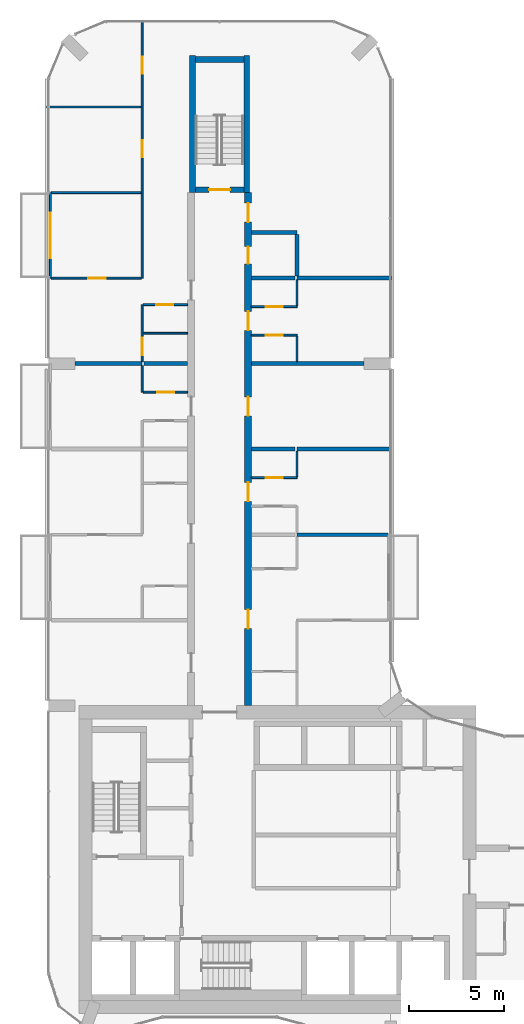
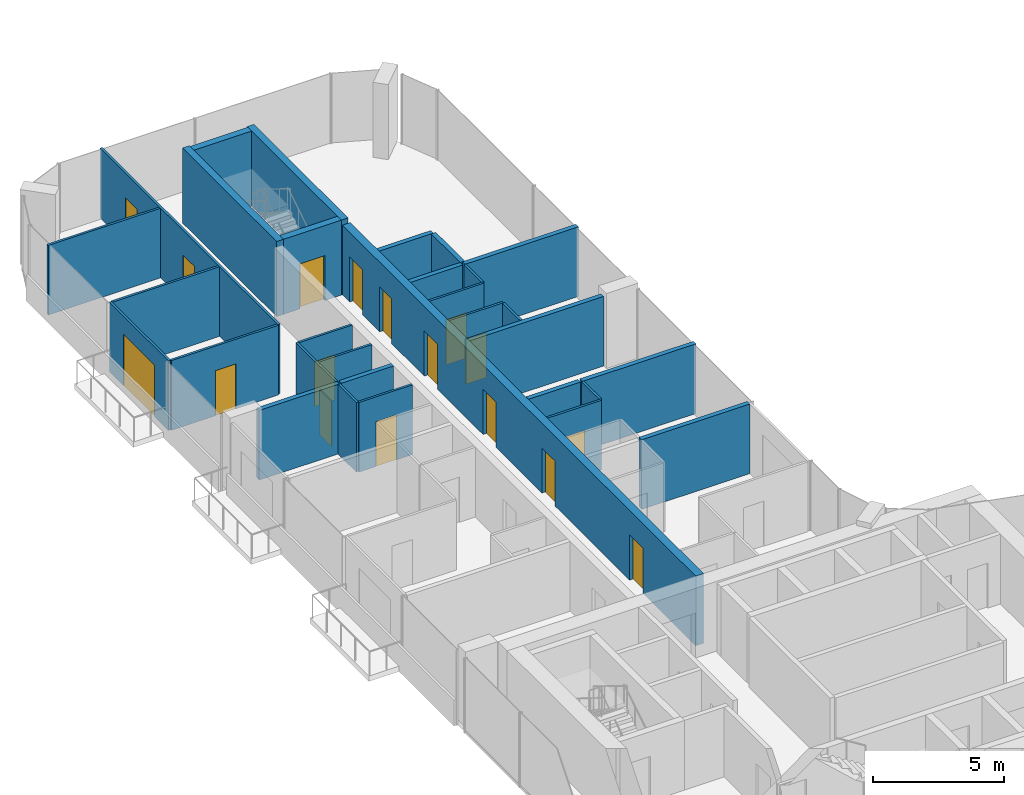
# One storey, part 16 of 22: 31 walls, 17 doors, 17 openings.
"""IFC4 building model written with IfcOpenShell, lengths in metres."""

from ifc_helpers import new_model, si_unit, direction, frame, frame_2d, origin, place, context, subcontext, project, spatial, rectangle, extrude, material, layer, layer_set, type_object, element, fill, save


model = new_model("IFC4")

# Units and contexts
model_context = context("Model", 3, precision=1e-05, world=origin(), true_north=direction((0.0, 1.0)))
body_context = subcontext(model_context, "Body", "Model", "MODEL_VIEW")
ifc_project = project(units=[si_unit("LENGTHUNIT", "METRE"), si_unit("AREAUNIT", "SQUARE_METRE"), si_unit("VOLUMEUNIT", "CUBIC_METRE"), si_unit("PLANEANGLEUNIT", "RADIAN"), si_unit("MASSUNIT", "GRAM", prefix="KILO")], contexts=[model_context])

# Site, building, storey
site_placement = place(None, origin())
site = spatial("IfcSite", under=ifc_project, at=site_placement, CompositionType="ELEMENT")
building_placement = place(site_placement, origin())
building = spatial("IfcBuilding", under=site, at=building_placement, Name="Plateau Cross Towers", CompositionType="ELEMENT")
storey_placement = place(building_placement, frame((0.0, 0.0, 61.800048828125)))
storey = spatial("IfcBuildingStorey", under=building, at=storey_placement, Name="L15", CompositionType="ELEMENT", Elevation=61.800048828125)

# Wall, opening, door
ifc_material_1 = material(Name="Aluminium framed glazing", Category="aluminium")
ifc_layer_1 = layer(ifc_material_1, 0.10009765625)
ifc_layer_set_1 = layer_set([ifc_layer_1], Name="Aluminium framed glazing")
wall_type_1 = type_object("IfcWallType", Name="Balcony screen wall 100", PredefinedType="STANDARD", material=ifc_layer_set_1)
wall_1_placement = place(storey_placement, frame((0.10009765625, 40.5, 0.0), z_axis=(0.0, 0.0, 1.0), x_axis=(0.0, 1.0, 0.0)))
wall_1 = element("IfcWall", 1, at=wall_1_placement, inside=storey, type_object=wall_type_1, Name="Balcony screen wall A-BAL-L15-03", PredefinedType="STANDARD", context=body_context, shape_type="SweptSolid", body=[
    extrude(rectangle(XDim=4.5, YDim=0.10009765625, at=frame_2d((2.25, 0.0))), origin(), (0.0, 0.0, 1.0), 3.25),
])
opening_1_placement = place(wall_1_placement, frame((1.050048828125, 0.0, 0.0)))
opening_1 = element("IfcOpeningElement", 2, at=opening_1_placement, cuts=wall_1, Name="Opening D-B24", PredefinedType="OPENING", context=body_context, shape_type="SweptSolid", body=[
    extrude(rectangle(XDim=2.39990234375, YDim=2.39990234375, at=frame_2d((1.199951171875, 1.199951171875))), frame((0.0, 0.06005859375, 0.0), z_axis=(0.0, -1.0, 0.0), x_axis=(1.0, 0.0, 0.0)), (0.0, 0.0, 1.0), 0.1201171875),
])
ifc_material_2 = material(Name="Aluminium frame, double glazing", Category="aluminium")
door_type_1 = type_object("IfcDoorType", Name="Balcony sliding door 2400", OperationType="NOTDEFINED", PredefinedType="DOOR", material=ifc_material_2)
door_1_placement = place(opening_1_placement, origin())
door_1 = element("IfcDoor", 3, at=door_1_placement, inside=storey, type_object=door_type_1, Name="Balcony door A-BAL-L15-03", OperationType="SINGLE_SWING_LEFT", OverallHeight=2.39990234375, OverallWidth=2.39990234375, PredefinedType="DOOR", context=body_context, shape_type="SweptSolid", body=[
    extrude(rectangle(XDim=2.39990234375, YDim=2.39990234375, at=frame_2d((1.199951171875, 1.199951171875))), frame((0.0, 0.02490234375, 0.0), z_axis=(0.0, -1.0, 0.0), x_axis=(1.0, 0.0, 0.0)), (0.0, 0.0, 1.0), 0.050048828125),
])
fill(opening_1, door_1)

# Wall, openings, doors
ifc_material_3 = material(Name="Concrete C60/75", Category="concrete")
ifc_layer_2 = layer(ifc_material_3, 0.35009765625)
ifc_layer_set_2 = layer_set([ifc_layer_2], Name="Concrete C60/75")
wall_type_2 = type_object("IfcWallType", Name="Corridor wall 350", PredefinedType="SHEAR", material=ifc_layer_set_2)
wall_2_placement = place(storey_placement, frame((10.5, 18.0, 0.0), z_axis=(0.0, 0.0, 1.0), x_axis=(0.0, 1.0, 0.0)))
wall_2 = element("IfcWall", 4, at=wall_2_placement, inside=storey, type_object=wall_type_2, Name="A-cw-W2@L15", PredefinedType="SHEAR", context=body_context, shape_type="SweptSolid", body=[
    extrude(rectangle(XDim=27.0, YDim=0.35009765625, at=frame_2d((13.5, 0.0))), origin(), (0.0, 0.0, 1.0), 3.25),
])
opening_2_placement = place(wall_2_placement, frame((4.050048828125, 0.0, 0.0)))
opening_2 = element("IfcOpeningElement", 5, at=opening_2_placement, cuts=wall_2, Name="Opening 15-14", PredefinedType="OPENING", context=body_context, shape_type="SweptSolid", body=[
    extrude(rectangle(XDim=1.0, YDim=2.10009765625, at=frame_2d((0.5, 1.050048828125))), frame((0.0, 0.18505859375, 0.0), z_axis=(0.0, -1.0, 0.0), x_axis=(1.0, 0.0, 0.0)), (0.0, 0.0, 1.0), 0.3701171875),
])
opening_3_placement = place(wall_2_placement, frame((10.75, 0.0, 0.0)))
opening_3 = element("IfcOpeningElement", 6, at=opening_3_placement, cuts=wall_2, Name="Opening 15-15", PredefinedType="OPENING", context=body_context, shape_type="SweptSolid", body=[
    extrude(rectangle(XDim=1.0, YDim=2.10009765625, at=frame_2d((0.5, 1.050048828125))), frame((0.0, 0.18505859375, 0.0), z_axis=(0.0, -1.0, 0.0), x_axis=(1.0, 0.0, 0.0)), (0.0, 0.0, 1.0), 0.3701171875),
])
opening_4_placement = place(wall_2_placement, frame((15.25, 0.0, 0.0)))
opening_4 = element("IfcOpeningElement", 7, at=opening_4_placement, cuts=wall_2, Name="Opening 15-16", PredefinedType="OPENING", context=body_context, shape_type="SweptSolid", body=[
    extrude(rectangle(XDim=1.0, YDim=2.10009765625, at=frame_2d((0.5, 1.050048828125))), frame((0.0, 0.18505859375, 0.0), z_axis=(0.0, -1.0, 0.0), x_axis=(1.0, 0.0, 0.0)), (0.0, 0.0, 1.0), 0.3701171875),
])
opening_5_placement = place(wall_2_placement, frame((19.75, 0.0, 0.0)))
opening_5 = element("IfcOpeningElement", 8, at=opening_5_placement, cuts=wall_2, Name="Opening 15-17", PredefinedType="OPENING", context=body_context, shape_type="SweptSolid", body=[
    extrude(rectangle(XDim=1.0, YDim=2.10009765625, at=frame_2d((0.5, 1.050048828125))), frame((0.0, 0.18505859375, 0.0), z_axis=(0.0, -1.0, 0.0), x_axis=(1.0, 0.0, 0.0)), (0.0, 0.0, 1.0), 0.3701171875),
])
opening_6_placement = place(wall_2_placement, frame((23.25, 0.0, 0.0)))
opening_6 = element("IfcOpeningElement", 9, at=opening_6_placement, cuts=wall_2, Name="Opening 15-18", PredefinedType="OPENING", context=body_context, shape_type="SweptSolid", body=[
    extrude(rectangle(XDim=0.89990234375, YDim=2.10009765625, at=frame_2d((0.449951171875, 1.050048828125))), frame((0.0, 0.18505859375, 0.0), z_axis=(0.0, -1.0, 0.0), x_axis=(1.0, 0.0, 0.0)), (0.0, 0.0, 1.0), 0.3701171875),
])
opening_7_placement = place(wall_2_placement, frame((25.449951171875, 0.0, 0.0)))
opening_7 = element("IfcOpeningElement", 10, at=opening_7_placement, cuts=wall_2, Name="Opening 15-19", PredefinedType="OPENING", context=body_context, shape_type="SweptSolid", body=[
    extrude(rectangle(XDim=1.0, YDim=2.10009765625, at=frame_2d((0.5, 1.050048828125))), frame((0.0, 0.18505859375, 0.0), z_axis=(0.0, -1.0, 0.0), x_axis=(1.0, 0.0, 0.0)), (0.0, 0.0, 1.0), 0.3701171875),
])
ifc_material_4 = material(Name="Timber, fire-resisting leaf", Category="wood")
door_type_2 = type_object("IfcDoorType", Name="Flat entrance door 1000", OperationType="NOTDEFINED", PredefinedType="DOOR", material=ifc_material_4)
door_2_placement = place(opening_2_placement, origin())
door_2 = element("IfcDoor", 11, at=door_2_placement, inside=storey, type_object=door_type_2, Name="Door 15-14", OperationType="SINGLE_SWING_LEFT", OverallHeight=2.10009765625, OverallWidth=1.0, PredefinedType="DOOR", context=body_context, shape_type="SweptSolid", body=[
    extrude(rectangle(XDim=1.0, YDim=2.10009765625, at=frame_2d((0.5, 1.050048828125))), frame((0.0, 0.02490234375, 0.0), z_axis=(0.0, -1.0, 0.0), x_axis=(1.0, 0.0, 0.0)), (0.0, 0.0, 1.0), 0.050048828125),
])
fill(opening_2, door_2)
door_3_placement = place(opening_3_placement, origin())
door_3 = element("IfcDoor", 12, at=door_3_placement, inside=storey, type_object=door_type_2, Name="Door 15-15", OperationType="SINGLE_SWING_LEFT", OverallHeight=2.10009765625, OverallWidth=1.0, PredefinedType="DOOR", context=body_context, shape_type="SweptSolid", body=[
    extrude(rectangle(XDim=1.0, YDim=2.10009765625, at=frame_2d((0.5, 1.050048828125))), frame((0.0, 0.02490234375, 0.0), z_axis=(0.0, -1.0, 0.0), x_axis=(1.0, 0.0, 0.0)), (0.0, 0.0, 1.0), 0.050048828125),
])
fill(opening_3, door_3)
door_4_placement = place(opening_4_placement, origin())
door_4 = element("IfcDoor", 13, at=door_4_placement, inside=storey, type_object=door_type_2, Name="Door 15-16", OperationType="SINGLE_SWING_RIGHT", OverallHeight=2.10009765625, OverallWidth=1.0, PredefinedType="DOOR", context=body_context, shape_type="SweptSolid", body=[
    extrude(rectangle(XDim=1.0, YDim=2.10009765625, at=frame_2d((0.5, 1.050048828125))), frame((0.0, 0.02490234375, 0.0), z_axis=(0.0, -1.0, 0.0), x_axis=(1.0, 0.0, 0.0)), (0.0, 0.0, 1.0), 0.050048828125),
])
fill(opening_4, door_4)
door_5_placement = place(opening_5_placement, origin())
door_5 = element("IfcDoor", 14, at=door_5_placement, inside=storey, type_object=door_type_2, Name="Door 15-17", OperationType="SINGLE_SWING_RIGHT", OverallHeight=2.10009765625, OverallWidth=1.0, PredefinedType="DOOR", context=body_context, shape_type="SweptSolid", body=[
    extrude(rectangle(XDim=1.0, YDim=2.10009765625, at=frame_2d((0.5, 1.050048828125))), frame((0.0, 0.02490234375, 0.0), z_axis=(0.0, -1.0, 0.0), x_axis=(1.0, 0.0, 0.0)), (0.0, 0.0, 1.0), 0.050048828125),
])
fill(opening_5, door_5)
door_6_placement = place(opening_7_placement, origin())
door_6 = element("IfcDoor", 15, at=door_6_placement, inside=storey, type_object=door_type_2, Name="Door 15-19", OperationType="SINGLE_SWING_RIGHT", OverallHeight=2.10009765625, OverallWidth=1.0, PredefinedType="DOOR", context=body_context, shape_type="SweptSolid", body=[
    extrude(rectangle(XDim=1.0, YDim=2.10009765625, at=frame_2d((0.5, 1.050048828125))), frame((0.0, 0.02490234375, 0.0), z_axis=(0.0, -1.0, 0.0), x_axis=(1.0, 0.0, 0.0)), (0.0, 0.0, 1.0), 0.050048828125),
])
fill(opening_7, door_6)
door_type_3 = type_object("IfcDoorType", Name="Flat floor service door 900", OperationType="NOTDEFINED", PredefinedType="DOOR", material=ifc_material_4)
door_7_placement = place(opening_6_placement, origin())
door_7 = element("IfcDoor", 16, at=door_7_placement, inside=storey, type_object=door_type_3, Name="Door 15-18", OperationType="SINGLE_SWING_RIGHT", OverallHeight=2.10009765625, OverallWidth=0.89990234375, PredefinedType="DOOR", context=body_context, shape_type="SweptSolid", body=[
    extrude(rectangle(XDim=0.89990234375, YDim=2.10009765625, at=frame_2d((0.449951171875, 1.050048828125))), frame((0.0, 0.02490234375, 0.0), z_axis=(0.0, -1.0, 0.0), x_axis=(1.0, 0.0, 0.0)), (0.0, 0.0, 1.0), 0.050048828125),
])
fill(opening_6, door_7)

# Wall, opening, door
ifc_material_5 = material(Name="Gypsum board on steel studs", Category="steel")
ifc_layer_3 = layer(ifc_material_5, 0.10009765625)
ifc_layer_set_3 = layer_set([ifc_layer_3], Name="Gypsum board on steel studs")
wall_type_3 = type_object("IfcWallType", Name="Flat partition 100", PredefinedType="PARTITIONING", material=ifc_layer_set_3)
wall_3_placement = place(storey_placement, frame((10.675048828125, 30.0, 0.0), z_axis=(0.0, 0.0, 1.0), x_axis=(1.0, 0.0, 0.0)))
wall_3 = element("IfcWall", 17, at=wall_3_placement, inside=storey, type_object=wall_type_3, Name="Partition wall", PredefinedType="PARTITIONING", context=body_context, shape_type="SweptSolid", body=[
    extrude(rectangle(XDim=2.39990234375, YDim=0.10009765625, at=frame_2d((1.199951171875, 0.0))), origin(), (0.0, 0.0, 1.0), 3.25),
])
opening_8_placement = place(wall_3_placement, frame((0.75, 0.0, 0.0)))
opening_8 = element("IfcOpeningElement", 18, at=opening_8_placement, cuts=wall_3, Name="Opening 15-45", PredefinedType="OPENING", context=body_context, shape_type="SweptSolid", body=[
    extrude(rectangle(XDim=0.89990234375, YDim=2.10009765625, at=frame_2d((0.449951171875, 1.050048828125))), frame((0.0, 0.06005859375, 0.0), z_axis=(0.0, -1.0, 0.0), x_axis=(1.0, 0.0, 0.0)), (0.0, 0.0, 1.0), 0.1201171875),
])
ifc_material_6 = material(Name="Timber leaf", Category="wood")
door_type_4 = type_object("IfcDoorType", Name="Flat room door 900", OperationType="NOTDEFINED", PredefinedType="DOOR", material=ifc_material_6)
door_8_placement = place(opening_8_placement, origin())
door_8 = element("IfcDoor", 19, at=door_8_placement, inside=storey, type_object=door_type_4, Name="Door 15-45", OperationType="SINGLE_SWING_RIGHT", OverallHeight=2.10009765625, OverallWidth=0.89990234375, PredefinedType="DOOR", context=body_context, shape_type="SweptSolid", body=[
    extrude(rectangle(XDim=0.89990234375, YDim=2.10009765625, at=frame_2d((0.449951171875, 1.050048828125))), frame((0.0, 0.02490234375, 0.0), z_axis=(0.0, -1.0, 0.0), x_axis=(1.0, 0.0, 0.0)), (0.0, 0.0, 1.0), 0.050048828125),
])
fill(opening_8, door_8)

wall_4_placement = place(storey_placement, frame((4.97509765625, 34.5, 0.0), z_axis=(0.0, 0.0, 1.0), x_axis=(1.0, 0.0, 0.0)))
wall_4 = element("IfcWall", 20, at=wall_4_placement, inside=storey, type_object=wall_type_3, Name="Partition wall", PredefinedType="PARTITIONING", context=body_context, shape_type="SweptSolid", body=[
    extrude(rectangle(XDim=2.349853515625, YDim=0.10009765625, at=frame_2d((1.1748046875, 0.0))), origin(), (0.0, 0.0, 1.0), 3.25),
])
opening_9_placement = place(wall_4_placement, frame((0.75, 0.0, 0.0)))
opening_9 = element("IfcOpeningElement", 21, at=opening_9_placement, cuts=wall_4, Name="Opening 15-35", PredefinedType="OPENING", context=body_context, shape_type="SweptSolid", body=[
    extrude(rectangle(XDim=0.89990234375, YDim=2.10009765625, at=frame_2d((0.449951171875, 1.050048828125))), frame((0.0, 0.06005859375, 0.0), z_axis=(0.0, -1.0, 0.0), x_axis=(1.0, 0.0, 0.0)), (0.0, 0.0, 1.0), 0.1201171875),
])
door_9_placement = place(opening_9_placement, origin())
door_9 = element("IfcDoor", 22, at=door_9_placement, inside=storey, type_object=door_type_4, Name="Door 15-35", OperationType="SINGLE_SWING_RIGHT", OverallHeight=2.10009765625, OverallWidth=0.89990234375, PredefinedType="DOOR", context=body_context, shape_type="SweptSolid", body=[
    extrude(rectangle(XDim=0.89990234375, YDim=2.10009765625, at=frame_2d((0.449951171875, 1.050048828125))), frame((0.0, 0.02490234375, 0.0), z_axis=(0.0, -1.0, 0.0), x_axis=(1.0, 0.0, 0.0)), (0.0, 0.0, 1.0), 0.050048828125),
])
fill(opening_9, door_9)

wall_5_placement = place(storey_placement, frame((13.074951171875, 37.5, 0.0), z_axis=(0.0, 0.0, 1.0), x_axis=(-1.0, 0.0, 0.0)))
wall_5 = element("IfcWall", 23, at=wall_5_placement, inside=storey, type_object=wall_type_3, Name="Partition wall", PredefinedType="PARTITIONING", context=body_context, shape_type="SweptSolid", body=[
    extrude(rectangle(XDim=2.39990234375, YDim=0.10009765625, at=frame_2d((1.199951171875, 0.0))), origin(), (0.0, 0.0, 1.0), 3.25),
])
opening_10_placement = place(wall_5_placement, frame((0.75, 0.0, 0.0)))
opening_10 = element("IfcOpeningElement", 24, at=opening_10_placement, cuts=wall_5, Name="Opening 15-46", PredefinedType="OPENING", context=body_context, shape_type="SweptSolid", body=[
    extrude(rectangle(XDim=0.89990234375, YDim=2.10009765625, at=frame_2d((0.449951171875, 1.050048828125))), frame((0.0, 0.06005859375, 0.0), z_axis=(0.0, -1.0, 0.0), x_axis=(1.0, 0.0, 0.0)), (0.0, 0.0, 1.0), 0.1201171875),
])
door_10_placement = place(opening_10_placement, origin())
door_10 = element("IfcDoor", 25, at=door_10_placement, inside=storey, type_object=door_type_4, Name="Door 15-46", OperationType="SINGLE_SWING_RIGHT", OverallHeight=2.10009765625, OverallWidth=0.89990234375, PredefinedType="DOOR", context=body_context, shape_type="SweptSolid", body=[
    extrude(rectangle(XDim=0.89990234375, YDim=2.10009765625, at=frame_2d((0.449951171875, 1.050048828125))), frame((0.0, 0.02490234375, 0.0), z_axis=(0.0, -1.0, 0.0), x_axis=(1.0, 0.0, 0.0)), (0.0, 0.0, 1.0), 0.050048828125),
])
fill(opening_10, door_10)

# Wall
wall_6_placement = place(storey_placement, frame((7.324951171875, 37.60009765625, 0.0), z_axis=(0.0, 0.0, 1.0), x_axis=(-1.0, 0.0, 0.0)))
element("IfcWall", 26, at=wall_6_placement, inside=storey, type_object=wall_type_3, Name="Partition wall", PredefinedType="PARTITIONING", context=body_context, shape_type="SweptSolid", body=[
    extrude(rectangle(XDim=2.349853515625, YDim=0.10009765625, at=frame_2d((1.1748046875, 0.0))), origin(), (0.0, 0.0, 1.0), 3.25),
])

# Wall, opening, door
wall_7_placement = place(storey_placement, frame((10.675048828125, 39.0, 0.0), z_axis=(0.0, 0.0, 1.0), x_axis=(1.0, 0.0, 0.0)))
wall_7 = element("IfcWall", 27, at=wall_7_placement, inside=storey, type_object=wall_type_3, Name="Partition wall", PredefinedType="PARTITIONING", context=body_context, shape_type="SweptSolid", body=[
    extrude(rectangle(XDim=2.39990234375, YDim=0.10009765625, at=frame_2d((1.199951171875, 0.0))), origin(), (0.0, 0.0, 1.0), 3.25),
])
opening_11_placement = place(wall_7_placement, frame((0.75, 0.0, 0.0)))
opening_11 = element("IfcOpeningElement", 28, at=opening_11_placement, cuts=wall_7, Name="Opening 15-47", PredefinedType="OPENING", context=body_context, shape_type="SweptSolid", body=[
    extrude(rectangle(XDim=0.89990234375, YDim=2.10009765625, at=frame_2d((0.449951171875, 1.050048828125))), frame((0.0, 0.06005859375, 0.0), z_axis=(0.0, -1.0, 0.0), x_axis=(1.0, 0.0, 0.0)), (0.0, 0.0, 1.0), 0.1201171875),
])
door_11_placement = place(opening_11_placement, origin())
door_11 = element("IfcDoor", 29, at=door_11_placement, inside=storey, type_object=door_type_4, Name="Door 15-47", OperationType="SINGLE_SWING_RIGHT", OverallHeight=2.10009765625, OverallWidth=0.89990234375, PredefinedType="DOOR", context=body_context, shape_type="SweptSolid", body=[
    extrude(rectangle(XDim=0.89990234375, YDim=2.10009765625, at=frame_2d((0.449951171875, 1.050048828125))), frame((0.0, 0.02490234375, 0.0), z_axis=(0.0, -1.0, 0.0), x_axis=(1.0, 0.0, 0.0)), (0.0, 0.0, 1.0), 0.050048828125),
])
fill(opening_11, door_11)

wall_8_placement = place(storey_placement, frame((7.324951171875, 39.10009765625, 0.0), z_axis=(0.0, 0.0, 1.0), x_axis=(-1.0, 0.0, 0.0)))
wall_8 = element("IfcWall", 30, at=wall_8_placement, inside=storey, type_object=wall_type_3, Name="Partition wall", PredefinedType="PARTITIONING", context=body_context, shape_type="SweptSolid", body=[
    extrude(rectangle(XDim=2.349853515625, YDim=0.10009765625, at=frame_2d((1.1748046875, 0.0))), origin(), (0.0, 0.0, 1.0), 3.25),
])
opening_12_placement = place(wall_8_placement, frame((0.75, 0.0, 0.0)))
opening_12 = element("IfcOpeningElement", 31, at=opening_12_placement, cuts=wall_8, Name="Opening 15-37", PredefinedType="OPENING", context=body_context, shape_type="SweptSolid", body=[
    extrude(rectangle(XDim=0.89990234375, YDim=2.10009765625, at=frame_2d((0.449951171875, 1.050048828125))), frame((0.0, 0.06005859375, 0.0), z_axis=(0.0, -1.0, 0.0), x_axis=(1.0, 0.0, 0.0)), (0.0, 0.0, 1.0), 0.1201171875),
])
door_12_placement = place(opening_12_placement, origin())
door_12 = element("IfcDoor", 32, at=door_12_placement, inside=storey, type_object=door_type_4, Name="Door 15-37", OperationType="SINGLE_SWING_RIGHT", OverallHeight=2.10009765625, OverallWidth=0.89990234375, PredefinedType="DOOR", context=body_context, shape_type="SweptSolid", body=[
    extrude(rectangle(XDim=0.89990234375, YDim=2.10009765625, at=frame_2d((0.449951171875, 1.050048828125))), frame((0.0, 0.02490234375, 0.0), z_axis=(0.0, -1.0, 0.0), x_axis=(1.0, 0.0, 0.0)), (0.0, 0.0, 1.0), 0.050048828125),
])
fill(opening_12, door_12)

wall_9_placement = place(storey_placement, frame((0.14990234375, 40.5, 0.0), z_axis=(0.0, 0.0, 1.0), x_axis=(1.0, 0.0, 0.0)))
wall_9 = element("IfcWall", 33, at=wall_9_placement, inside=storey, type_object=wall_type_3, Name="Partition wall", PredefinedType="PARTITIONING", context=body_context, shape_type="SweptSolid", body=[
    extrude(rectangle(XDim=4.72509765625, YDim=0.10009765625, at=frame_2d((2.362548828125, 0.0))), origin(), (0.0, 0.0, 1.0), 3.25),
])
opening_13_placement = place(wall_9_placement, frame((1.949951171875, 0.0, 0.0)))
opening_13 = element("IfcOpeningElement", 34, at=opening_13_placement, cuts=wall_9, Name="Opening 15-38", PredefinedType="OPENING", context=body_context, shape_type="SweptSolid", body=[
    extrude(rectangle(XDim=0.89990234375, YDim=2.10009765625, at=frame_2d((0.449951171875, 1.050048828125))), frame((0.0, 0.06005859375, 0.0), z_axis=(0.0, -1.0, 0.0), x_axis=(1.0, 0.0, 0.0)), (0.0, 0.0, 1.0), 0.1201171875),
])
door_13_placement = place(opening_13_placement, origin())
door_13 = element("IfcDoor", 35, at=door_13_placement, inside=storey, type_object=door_type_4, Name="Door 15-38", OperationType="SINGLE_SWING_RIGHT", OverallHeight=2.10009765625, OverallWidth=0.89990234375, PredefinedType="DOOR", context=body_context, shape_type="SweptSolid", body=[
    extrude(rectangle(XDim=0.89990234375, YDim=2.10009765625, at=frame_2d((0.449951171875, 1.050048828125))), frame((0.0, 0.02490234375, 0.0), z_axis=(0.0, -1.0, 0.0), x_axis=(1.0, 0.0, 0.0)), (0.0, 0.0, 1.0), 0.050048828125),
])
fill(opening_13, door_13)

# Walls
wall_10_placement = place(storey_placement, frame((4.875, 45.0, 0.0), z_axis=(0.0, 0.0, 1.0), x_axis=(-1.0, 0.0, 0.0)))
element("IfcWall", 36, at=wall_10_placement, inside=storey, type_object=wall_type_3, Name="Partition wall", PredefinedType="PARTITIONING", context=body_context, shape_type="SweptSolid", body=[
    extrude(rectangle(XDim=4.72509765625, YDim=0.10009765625, at=frame_2d((2.362548828125, 0.0))), origin(), (0.0, 0.0, 1.0), 3.25),
])
wall_11_placement = place(storey_placement, frame((4.875, 49.5, 0.0), z_axis=(0.0, 0.0, 1.0), x_axis=(-1.0, 0.0, 0.0)))
element("IfcWall", 37, at=wall_11_placement, inside=storey, type_object=wall_type_3, Name="Partition wall", PredefinedType="PARTITIONING", context=body_context, shape_type="SweptSolid", body=[
    extrude(rectangle(XDim=4.955078125, YDim=0.10009765625, at=frame_2d((2.4775390625, 0.0))), origin(), (0.0, 0.0, 1.0), 3.25),
])
wall_12_placement = place(storey_placement, frame((4.925048828125, 35.89990234375, 0.0), z_axis=(0.0, 0.0, 1.0), x_axis=(0.0, -1.0, 0.0)))
element("IfcWall", 38, at=wall_12_placement, inside=storey, type_object=wall_type_3, Name="Partition wall", PredefinedType="PARTITIONING", context=body_context, shape_type="SweptSolid", body=[
    extrude(rectangle(XDim=1.39990234375, YDim=0.10009765625, at=frame_2d((0.699951171875, 0.0))), origin(), (0.0, 0.0, 1.0), 3.25),
])

# Wall, opening, door
wall_13_placement = place(storey_placement, frame((4.925048828125, 39.10009765625, 0.0), z_axis=(0.0, 0.0, 1.0), x_axis=(0.0, -1.0, 0.0)))
wall_13 = element("IfcWall", 39, at=wall_13_placement, inside=storey, type_object=wall_type_3, Name="Partition wall", PredefinedType="PARTITIONING", context=body_context, shape_type="SweptSolid", body=[
    extrude(rectangle(XDim=3.0, YDim=0.10009765625, at=frame_2d((1.5, 0.0))), origin(), (0.0, 0.0, 1.0), 3.25),
])
opening_14_placement = place(wall_13_placement, frame((1.75, 0.0, 0.0)))
opening_14 = element("IfcOpeningElement", 40, at=opening_14_placement, cuts=wall_13, Name="Opening 15-36", PredefinedType="OPENING", context=body_context, shape_type="SweptSolid", body=[
    extrude(rectangle(XDim=0.89990234375, YDim=2.10009765625, at=frame_2d((0.449951171875, 1.050048828125))), frame((0.0, 0.06005859375, 0.0), z_axis=(0.0, -1.0, 0.0), x_axis=(1.0, 0.0, 0.0)), (0.0, 0.0, 1.0), 0.1201171875),
])
door_14_placement = place(opening_14_placement, origin())
door_14 = element("IfcDoor", 41, at=door_14_placement, inside=storey, type_object=door_type_4, Name="Door 15-36", OperationType="SINGLE_SWING_RIGHT", OverallHeight=2.10009765625, OverallWidth=0.89990234375, PredefinedType="DOOR", context=body_context, shape_type="SweptSolid", body=[
    extrude(rectangle(XDim=0.89990234375, YDim=2.10009765625, at=frame_2d((0.449951171875, 1.050048828125))), frame((0.0, 0.02490234375, 0.0), z_axis=(0.0, -1.0, 0.0), x_axis=(1.0, 0.0, 0.0)), (0.0, 0.0, 1.0), 0.050048828125),
])
fill(opening_14, door_14)

# Wall, openings, doors
wall_14_placement = place(storey_placement, frame((4.925048828125, 40.5, 0.0), z_axis=(0.0, 0.0, 1.0), x_axis=(0.0, 1.0, 0.0)))
wall_14 = element("IfcWall", 42, at=wall_14_placement, inside=storey, type_object=wall_type_3, Name="Partition wall", PredefinedType="PARTITIONING", context=body_context, shape_type="SweptSolid", body=[
    extrude(rectangle(XDim=13.580078125, YDim=0.10009765625, at=frame_2d((6.7900390625, 0.0))), origin(), (0.0, 0.0, 1.0), 3.25),
])
opening_15_placement = place(wall_14_placement, frame((6.35009765625, 0.0, 0.0)))
opening_15 = element("IfcOpeningElement", 43, at=opening_15_placement, cuts=wall_14, Name="Opening 15-39", PredefinedType="OPENING", context=body_context, shape_type="SweptSolid", body=[
    extrude(rectangle(XDim=0.89990234375, YDim=2.10009765625, at=frame_2d((0.449951171875, 1.050048828125))), frame((0.0, 0.06005859375, 0.0), z_axis=(0.0, -1.0, 0.0), x_axis=(1.0, 0.0, 0.0)), (0.0, 0.0, 1.0), 0.1201171875),
])
opening_16_placement = place(wall_14_placement, frame((10.75, 0.0, 0.0)))
opening_16 = element("IfcOpeningElement", 44, at=opening_16_placement, cuts=wall_14, Name="Opening 15-40", PredefinedType="OPENING", context=body_context, shape_type="SweptSolid", body=[
    extrude(rectangle(XDim=0.89990234375, YDim=2.10009765625, at=frame_2d((0.449951171875, 1.050048828125))), frame((0.0, 0.06005859375, 0.0), z_axis=(0.0, -1.0, 0.0), x_axis=(1.0, 0.0, 0.0)), (0.0, 0.0, 1.0), 0.1201171875),
])
door_15_placement = place(opening_15_placement, origin())
door_15 = element("IfcDoor", 45, at=door_15_placement, inside=storey, type_object=door_type_4, Name="Door 15-39", OperationType="SINGLE_SWING_RIGHT", OverallHeight=2.10009765625, OverallWidth=0.89990234375, PredefinedType="DOOR", context=body_context, shape_type="SweptSolid", body=[
    extrude(rectangle(XDim=0.89990234375, YDim=2.10009765625, at=frame_2d((0.449951171875, 1.050048828125))), frame((0.0, 0.02490234375, 0.0), z_axis=(0.0, -1.0, 0.0), x_axis=(1.0, 0.0, 0.0)), (0.0, 0.0, 1.0), 0.050048828125),
])
fill(opening_15, door_15)
door_16_placement = place(opening_16_placement, origin())
door_16 = element("IfcDoor", 46, at=door_16_placement, inside=storey, type_object=door_type_4, Name="Door 15-40", OperationType="SINGLE_SWING_RIGHT", OverallHeight=2.10009765625, OverallWidth=0.89990234375, PredefinedType="DOOR", context=body_context, shape_type="SweptSolid", body=[
    extrude(rectangle(XDim=0.89990234375, YDim=2.10009765625, at=frame_2d((0.449951171875, 1.050048828125))), frame((0.0, 0.02490234375, 0.0), z_axis=(0.0, -1.0, 0.0), x_axis=(1.0, 0.0, 0.0)), (0.0, 0.0, 1.0), 0.050048828125),
])
fill(opening_16, door_16)

# Walls
for number, where, z_axis, x_axis, name in (
    (47, (13.074951171875, 30.050048828125, 0.0), (0.0, 0.0, 1.0), (0.0, 1.0, 0.0), "Partition wall"),
    (48, (13.074951171875, 36.10009765625, 0.0), (0.0, 0.0, 1.0), (0.0, 1.0, 0.0), "Partition wall"),
    (49, (13.074951171875, 39.050048828125, 0.0), (0.0, 0.0, 1.0), (0.0, 1.0, 0.0), "Partition wall"),
):
    element("IfcWall", number, at=place(storey_placement, frame(where, z_axis=z_axis, x_axis=x_axis)), inside=storey, type_object=wall_type_3, Name=name, PredefinedType="PARTITIONING", context=body_context, shape_type="SweptSolid", body=[
        extrude(rectangle(XDim=1.349853515625, YDim=0.10009765625, at=frame_2d((0.6748046875, 0.0))), origin(), (0.0, 0.0, 1.0), 3.25),
    ])
ifc_material_7 = material(Name="Gypsum board on steel studs, two layers each side", Category="steel")
ifc_layer_4 = layer(ifc_material_7, 0.199951171875)
ifc_layer_set_4 = layer_set([ifc_layer_4], Name="Gypsum board on steel studs, two layers each side")
wall_type_4 = type_object("IfcWallType", Name="Flat party wall 200", PredefinedType="PARTITIONING", material=ifc_layer_set_4)
wall_15_placement = place(storey_placement, frame((13.074951171875, 27.0, 0.0), z_axis=(0.0, 0.0, 1.0), x_axis=(1.0, 0.0, 0.0)))
element("IfcWall", 50, at=wall_15_placement, inside=storey, type_object=wall_type_4, Name="Party wall", PredefinedType="PARTITIONING", context=body_context, shape_type="SweptSolid", body=[
    extrude(rectangle(XDim=4.775146484375, YDim=0.199951171875, at=frame_2d((2.3876953125, 0.0))), origin(), (0.0, 0.0, 1.0), 3.25),
])
wall_16_placement = place(storey_placement, frame((12.97509765625, 31.5, 0.0), z_axis=(0.0, 0.0, 1.0), x_axis=(-1.0, 0.0, 0.0)))
element("IfcWall", 51, at=wall_16_placement, inside=storey, type_object=wall_type_4, Name="Party wall", PredefinedType="PARTITIONING", context=body_context, shape_type="SweptSolid", body=[
    extrude(rectangle(XDim=2.300048828125, YDim=0.199951171875, at=frame_2d((1.14990234375, 0.0))), origin(), (0.0, 0.0, 1.0), 3.25),
])
wall_17_placement = place(storey_placement, frame((13.074951171875, 31.5, 0.0), z_axis=(0.0, 0.0, 1.0), x_axis=(1.0, 0.0, 0.0)))
element("IfcWall", 52, at=wall_17_placement, inside=storey, type_object=wall_type_4, Name="Party wall", PredefinedType="PARTITIONING", context=body_context, shape_type="SweptSolid", body=[
    extrude(rectangle(XDim=5.005126953125, YDim=0.199951171875, at=frame_2d((2.50244140625, 0.0))), origin(), (0.0, 0.0, 1.0), 3.25),
])
wall_18_placement = place(storey_placement, frame((7.324951171875, 36.0, 0.0), z_axis=(0.0, 0.0, 1.0), x_axis=(-1.0, 0.0, 0.0)))
element("IfcWall", 53, at=wall_18_placement, inside=storey, type_object=wall_type_4, Name="Party wall", PredefinedType="PARTITIONING", context=body_context, shape_type="SweptSolid", body=[
    extrude(rectangle(XDim=2.300048828125, YDim=0.199951171875, at=frame_2d((1.14990234375, 0.0))), origin(), (0.0, 0.0, 1.0), 3.25),
])
wall_19_placement = place(storey_placement, frame((16.60009765625, 36.0, 0.0), z_axis=(0.0, 0.0, 1.0), x_axis=(-1.0, 0.0, 0.0)))
element("IfcWall", 54, at=wall_19_placement, inside=storey, type_object=wall_type_4, Name="Party wall", PredefinedType="PARTITIONING", context=body_context, shape_type="SweptSolid", body=[
    extrude(rectangle(XDim=5.925048828125, YDim=0.199951171875, at=frame_2d((2.96240234375, 0.0))), origin(), (0.0, 0.0, 1.0), 3.25),
])
wall_20_placement = place(storey_placement, frame((1.39990234375, 36.0, 0.0), z_axis=(0.0, 0.0, 1.0), x_axis=(1.0, 0.0, 0.0)))
element("IfcWall", 55, at=wall_20_placement, inside=storey, type_object=wall_type_4, Name="Party wall", PredefinedType="PARTITIONING", context=body_context, shape_type="SweptSolid", body=[
    extrude(rectangle(XDim=3.525146484375, YDim=0.199951171875, at=frame_2d((1.7626953125, 0.0))), origin(), (0.0, 0.0, 1.0), 3.25),
])
wall_21_placement = place(storey_placement, frame((12.97509765625, 40.5, 0.0), z_axis=(0.0, 0.0, 1.0), x_axis=(-1.0, 0.0, 0.0)))
element("IfcWall", 56, at=wall_21_placement, inside=storey, type_object=wall_type_4, Name="Party wall", PredefinedType="PARTITIONING", context=body_context, shape_type="SweptSolid", body=[
    extrude(rectangle(XDim=2.300048828125, YDim=0.199951171875, at=frame_2d((1.14990234375, 0.0))), origin(), (0.0, 0.0, 1.0), 3.25),
])
wall_22_placement = place(storey_placement, frame((13.074951171875, 40.5, 0.0), z_axis=(0.0, 0.0, 1.0), x_axis=(1.0, 0.0, 0.0)))
element("IfcWall", 57, at=wall_22_placement, inside=storey, type_object=wall_type_4, Name="Party wall", PredefinedType="PARTITIONING", context=body_context, shape_type="SweptSolid", body=[
    extrude(rectangle(XDim=5.005126953125, YDim=0.199951171875, at=frame_2d((2.50244140625, 0.0))), origin(), (0.0, 0.0, 1.0), 3.25),
])
wall_23_placement = place(storey_placement, frame((13.074951171875, 42.89990234375, 0.0), z_axis=(0.0, 0.0, 1.0), x_axis=(-1.0, 0.0, 0.0)))
element("IfcWall", 58, at=wall_23_placement, inside=storey, type_object=wall_type_4, Name="Party wall", PredefinedType="PARTITIONING", context=body_context, shape_type="SweptSolid", body=[
    extrude(rectangle(XDim=2.39990234375, YDim=0.199951171875, at=frame_2d((1.199951171875, 0.0))), origin(), (0.0, 0.0, 1.0), 3.25),
])
wall_24_placement = place(storey_placement, frame((13.074951171875, 40.60009765625, 0.0), z_axis=(0.0, 0.0, 1.0), x_axis=(0.0, 1.0, 0.0)))
element("IfcWall", 59, at=wall_24_placement, inside=storey, type_object=wall_type_4, Name="Party wall", PredefinedType="PARTITIONING", context=body_context, shape_type="SweptSolid", body=[
    extrude(rectangle(XDim=2.199951171875, YDim=0.199951171875, at=frame_2d((1.10009765625, 0.0))), origin(), (0.0, 0.0, 1.0), 3.25),
])

# Wall, opening, door
ifc_layer_5 = layer(ifc_material_3, 0.300048828125)
ifc_layer_set_5 = layer_set([ifc_layer_5], Name="Concrete C60/75")
wall_type_5 = type_object("IfcWallType", Name="Stair tower wall 300", PredefinedType="SHEAR", material=ifc_layer_set_5)
wall_25_placement = place(storey_placement, frame((7.72509765625, 45.14990234375, 0.0), z_axis=(0.0, 0.0, 1.0), x_axis=(1.0, 0.0, 0.0)))
wall_25 = element("IfcWall", 60, at=wall_25_placement, inside=storey, type_object=wall_type_5, Name="A-end-N-S@L15", PredefinedType="SHEAR", context=body_context, shape_type="SweptSolid", body=[
    extrude(rectangle(XDim=2.5498046875, YDim=0.300048828125, at=frame_2d((1.27490234375, 0.0))), origin(), (0.0, 0.0, 1.0), 3.5),
])
opening_17_placement = place(wall_25_placement, frame((0.72509765625, 0.0, 0.0)))
opening_17 = element("IfcOpeningElement", 61, at=opening_17_placement, cuts=wall_25, Name="Opening SD", PredefinedType="OPENING", context=body_context, shape_type="SweptSolid", body=[
    extrude(rectangle(XDim=1.10009765625, YDim=2.10009765625, at=frame_2d((0.550048828125, 1.050048828125))), frame((0.0, 0.159912109375, 0.0), z_axis=(0.0, -1.0, 0.0), x_axis=(1.0, 0.0, 0.0)), (0.0, 0.0, 1.0), 0.320068359375),
])
ifc_material_8 = material(Name="Steel, fire-resisting leaf", Category="steel")
door_type_5 = type_object("IfcDoorType", Name="Stair door 1100", OperationType="NOTDEFINED", PredefinedType="DOOR", material=ifc_material_8)
door_17_placement = place(opening_17_placement, origin())
door_17 = element("IfcDoor", 62, at=door_17_placement, inside=storey, type_object=door_type_5, Name="Stair door SD", OperationType="SINGLE_SWING_LEFT", OverallHeight=2.10009765625, OverallWidth=1.10009765625, PredefinedType="DOOR", context=body_context, shape_type="SweptSolid", body=[
    extrude(rectangle(XDim=1.10009765625, YDim=2.10009765625, at=frame_2d((0.550048828125, 1.050048828125))), frame((0.0, 0.02490234375, 0.0), z_axis=(0.0, -1.0, 0.0), x_axis=(1.0, 0.0, 0.0)), (0.0, 0.0, 1.0), 0.050048828125),
])
fill(opening_17, door_17)

# Walls
wall_26_placement = place(storey_placement, frame((7.72509765625, 52.0, 0.0), z_axis=(0.0, 0.0, 1.0), x_axis=(1.0, 0.0, 0.0)))
element("IfcWall", 63, at=wall_26_placement, inside=storey, type_object=wall_type_5, Name="A-end-N-N@L15", PredefinedType="SHEAR", context=body_context, shape_type="SweptSolid", body=[
    extrude(rectangle(XDim=2.5498046875, YDim=0.300048828125, at=frame_2d((1.27490234375, 0.0))), origin(), (0.0, 0.0, 1.0), 3.5),
])
for number, where, z_axis, x_axis, name in (
    (64, (7.574951171875, 45.0, 0.0), (0.0, 0.0, 1.0), (0.0, 1.0, 0.0), "A-end-N-W@L15"),
    (65, (10.425048828125, 45.0, 0.0), (0.0, 0.0, 1.0), (0.0, 1.0, 0.0), "A-end-N-E@L15"),
):
    element("IfcWall", number, at=place(storey_placement, frame(where, z_axis=z_axis, x_axis=x_axis)), inside=storey, type_object=wall_type_5, Name=name, PredefinedType="SHEAR", context=body_context, shape_type="SweptSolid", body=[
        extrude(rectangle(XDim=7.199951171875, YDim=0.300048828125, at=frame_2d((3.60009765625, 0.0))), origin(), (0.0, 0.0, 1.0), 3.5),
    ])

save(model, "model.ifc")
